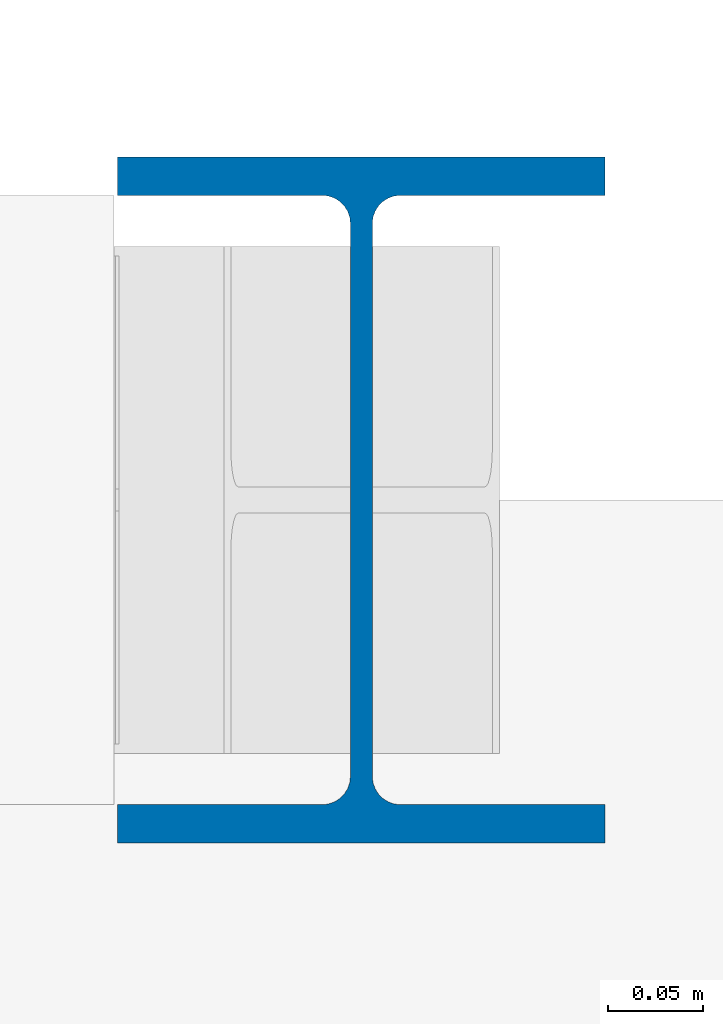
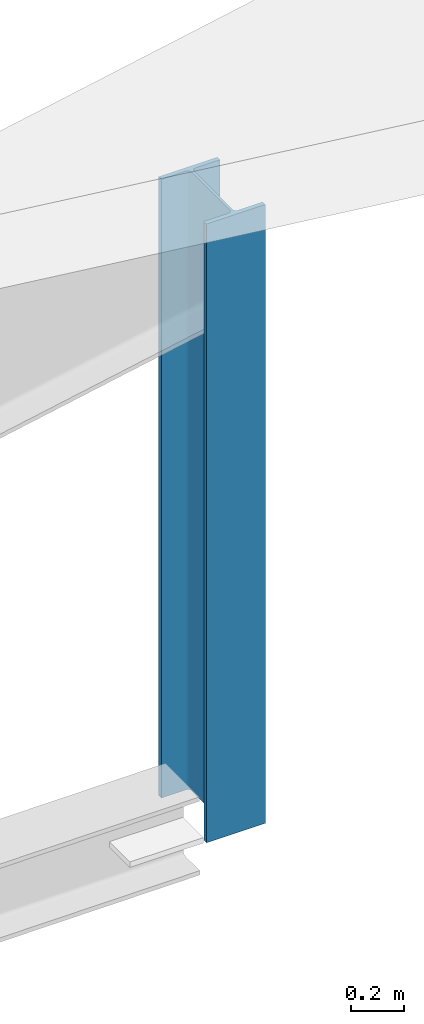
# One storey, part 20 of 94: 1 column.
"""IFC4 building model written with IfcOpenShell, lengths in metres."""

from ifc_helpers import new_model, si_unit, direction, frame, origin, origin_2d, place, context, subcontext, project, spatial, i_section, extrude, material, material_profile, profile_set, type_object, element, save


model = new_model("IFC4")

# Units and contexts
model_context = context("Model", 3, precision=1e-05, world=origin(), true_north=direction((0.0, 1.0)))
body_context = subcontext(model_context, "Body", "Model", "MODEL_VIEW")
ifc_project = project(units=[si_unit("LENGTHUNIT", "METRE"), si_unit("AREAUNIT", "SQUARE_METRE"), si_unit("VOLUMEUNIT", "CUBIC_METRE"), si_unit("PLANEANGLEUNIT", "RADIAN"), si_unit("MASSUNIT", "GRAM", prefix="KILO")], contexts=[model_context])

# Site, building, storey
site_placement = place(None, origin())
site = spatial("IfcSite", under=ifc_project, at=site_placement, CompositionType="ELEMENT")
building_placement = place(site_placement, origin())
building = spatial("IfcBuilding", under=site, at=building_placement, Name="Kalmorath City Hall", CompositionType="ELEMENT")
storey_placement = place(building_placement, frame((0.0, 0.0, 14.699951171875)))
storey = spatial("IfcBuildingStorey", under=building, at=storey_placement, Name="L03", CompositionType="ELEMENT", Elevation=14.699951171875)

# Column
ifc_material = material(Name="Steel ASTM A992 Grade 50", Category="steel")
ifc_material_profile = material_profile(ifc_material, i_section(OverallWidth=0.256103515625, OverallDepth=0.360107421875, WebThickness=0.011474609375, FlangeThickness=0.02001953125, FilletRadius=0.014892578125, at=origin_2d()), Name="W14X74")
ifc_profile_set = profile_set([ifc_material_profile], Name="Steel ASTM A992 Grade 50")
column_type = type_object("IfcColumnType", Name="Steel wide-flange column W14X74", PredefinedType="COLUMN", material=ifc_profile_set)
column_placement = place(storey_placement, frame((165.60009765625, 100.800048828125, 0.0), z_axis=(0.0, 0.0, 1.0), x_axis=(1.0, 0.0, 0.0)))
element("IfcColumn", 1, at=column_placement, inside=storey, type_object=column_type, Name="L03 library east eave column SC4-9", PredefinedType="COLUMN", context=body_context, shape_type="SweptSolid", body=[
    extrude(i_section(OverallWidth=0.256103515625, OverallDepth=0.360107421875, WebThickness=0.011474609375, FlangeThickness=0.02001953125, FilletRadius=0.014892578125, at=origin_2d()), origin(), (0.0, 0.0, 1.0), 2.85009765625),
])

save(model, "model.ifc")
